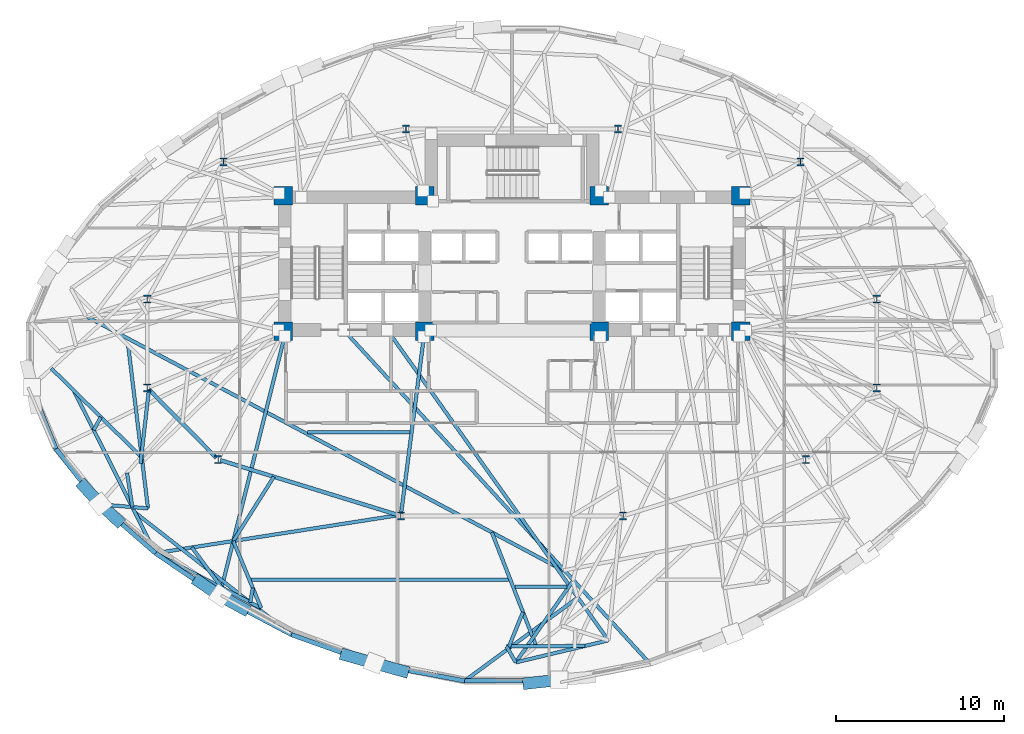
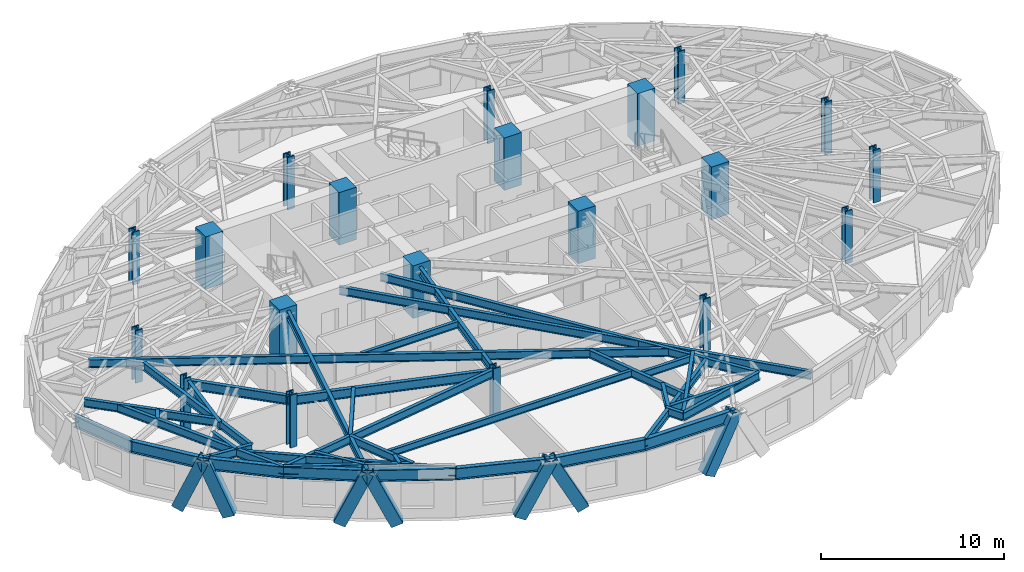
# One storey, part 1 of 14: 39 beams, 20 columns, 7 members.
"""IFC4 building model written with IfcOpenShell, lengths in metres."""

from ifc_helpers import new_model, si_unit, direction, frame, origin, origin_2d, place, context, subcontext, project, spatial, rectangle, hollow_rectangle, i_section, extrude, material, material_profile, profile_set, type_object, element, save


model = new_model("IFC4")

# Units and contexts
model_context = context("Model", 3, precision=1e-05, world=origin(), true_north=direction((0.0, 1.0)))
body_context = subcontext(model_context, "Body", "Model", "MODEL_VIEW")
ifc_project = project(units=[si_unit("LENGTHUNIT", "METRE"), si_unit("AREAUNIT", "SQUARE_METRE"), si_unit("VOLUMEUNIT", "CUBIC_METRE"), si_unit("PLANEANGLEUNIT", "RADIAN"), si_unit("MASSUNIT", "GRAM", prefix="KILO")], contexts=[model_context])

# Site, building, storey
site_placement = place(None, origin())
site = spatial("IfcSite", under=ifc_project, at=site_placement, CompositionType="ELEMENT")
building_placement = place(site_placement, origin())
building = spatial("IfcBuilding", under=site, at=building_placement, Name="Keldmark Tower", CompositionType="ELEMENT")
storey_placement = place(building_placement, frame((0.0, 0.0, 89.60009765625)))
storey = spatial("IfcBuildingStorey", under=building, at=storey_placement, Name="L23", CompositionType="ELEMENT", Elevation=89.60009765625)

# Columns
ifc_material_1 = material(Name="Concrete C70/85", Category="concrete")
ifc_material_profile_1 = material_profile(ifc_material_1, rectangle(XDim=1.10009765625, YDim=1.10009765625, at=origin_2d()), Name="RC1100X1100")
ifc_profile_set_1 = profile_set([ifc_material_profile_1], Name="Concrete C70/85")
column_type_1 = type_object("IfcColumnType", Name="Core Boundary Column RC1100", PredefinedType="COLUMN", material=ifc_profile_set_1)
for number, where, z_axis, x_axis, name in (
    (1, (-13.60009765625, 1.39990234375, 0.0), (0.0, 0.0, 1.0), (1.0, 0.0, 0.0), "L23 Core Boundary Column CC-W1"),
    (2, (-13.60009765625, 9.449951171875, 0.0), (0.0, 0.0, 1.0), (1.0, 0.0, 0.0), "L23 Core Boundary Column CC-W2"),
    (3, (-5.199951171875, 1.39990234375, 0.0), (0.0, 0.0, 1.0), (1.0, 0.0, 0.0), "L23 Core Boundary Column CC-W3"),
    (4, (-5.199951171875, 9.449951171875, 0.0), (0.0, 0.0, 1.0), (1.0, 0.0, 0.0), "L23 Core Boundary Column CC-W4"),
    (5, (5.199951171875, 1.39990234375, 0.0), (0.0, 0.0, 1.0), (1.0, 0.0, 0.0), "L23 Core Boundary Column CC-E1"),
    (6, (5.199951171875, 9.449951171875, 0.0), (0.0, 0.0, 1.0), (1.0, 0.0, 0.0), "L23 Core Boundary Column CC-E2"),
    (7, (13.60009765625, 1.39990234375, 0.0), (0.0, 0.0, 1.0), (1.0, 0.0, 0.0), "L23 Core Boundary Column CC-E3"),
    (8, (13.60009765625, 9.449951171875, 0.0), (0.0, 0.0, 1.0), (1.0, 0.0, 0.0), "L23 Core Boundary Column CC-E4"),
):
    element("IfcColumn", number, at=place(storey_placement, frame(where, z_axis=z_axis, x_axis=x_axis)), inside=storey, type_object=column_type_1, Name=name, PredefinedType="COLUMN", context=body_context, shape_type="SweptSolid", body=[
        extrude(rectangle(XDim=1.10009765625, YDim=1.10009765625, at=origin_2d()), origin(), (0.0, 0.0, 1.0), 3.5),
    ])
ifc_material_2 = material(Name="Steel ASTM A992 Grade 50", Category="steel")
ifc_material_profile_2 = material_profile(ifc_material_2, i_section(OverallWidth=0.424072265625, OverallDepth=0.47412109375, WebThickness=0.047607421875, FlangeThickness=0.0771484375, at=origin_2d()), Name="W14X426")
ifc_profile_set_2 = profile_set([ifc_material_profile_2], Name="Steel ASTM A992 Grade 50")
column_type_2 = type_object("IfcColumnType", Name="Tower Gravity Column W14X426", PredefinedType="COLUMN", material=ifc_profile_set_2)
for number, where, z_axis, x_axis, name in (
    (9, (21.697021484375, 3.309814453125, 0.0), (0.0, 0.0, 1.0), (1.0, 0.0, 0.0), "L23 Tower Gravity Column TC-E1"),
    (10, (17.1669921875, 11.478271484375, 0.0), (0.0, 0.0, 1.0), (1.0, 0.0, 0.0), "L23 Tower Gravity Column TC-E4"),
    (11, (6.298828125, 13.4326171875, 0.0), (0.0, 0.0, 1.0), (1.0, 0.0, 0.0), "L23 Tower Gravity Column TC-N2"),
    (12, (-6.298828125, 13.4326171875, 0.0), (0.0, 0.0, 1.0), (1.0, 0.0, 0.0), "L23 Tower Gravity Column TC-N1"),
    (13, (-17.1669921875, 11.478271484375, 0.0), (0.0, 0.0, 1.0), (1.0, 0.0, 0.0), "L23 Tower Gravity Column TC-W4"),
    (14, (-21.697021484375, 3.309814453125, 0.0), (0.0, 0.0, 1.0), (1.0, 0.0, 0.0), "L23 Tower Gravity Column TC-W1"),
    (15, (-21.697021484375, -1.9658203125, 0.0), (0.0, 0.0, 1.0), (1.0, 0.0, 0.0), "L23 Tower Gravity Column TC-W5"),
    (16, (-17.477294921875, -6.2294921875, 0.0), (0.0, 0.0, 1.0), (1.0, 0.0, 0.0), "L23 Tower Gravity Column TC-W2"),
    (17, (-6.61279296875, -9.579345703125, 0.0), (0.0, 0.0, 1.0), (1.0, 0.0, 0.0), "L23 Tower Gravity Column TC-W3"),
    (18, (6.61279296875, -9.579345703125, 0.0), (0.0, 0.0, 1.0), (1.0, 0.0, 0.0), "L23 Tower Gravity Column TC-E3"),
    (19, (17.477294921875, -6.2294921875, 0.0), (0.0, 0.0, 1.0), (1.0, 0.0, 0.0), "L23 Tower Gravity Column TC-E2"),
    (20, (21.697021484375, -1.9658203125, 0.0), (0.0, 0.0, 1.0), (1.0, 0.0, 0.0), "L23 Tower Gravity Column TC-E5"),
):
    element("IfcColumn", number, at=place(storey_placement, frame(where, z_axis=z_axis, x_axis=x_axis)), inside=storey, type_object=column_type_2, Name=name, PredefinedType="COLUMN", context=body_context, shape_type="SweptSolid", body=[
        extrude(i_section(OverallWidth=0.424072265625, OverallDepth=0.47412109375, WebThickness=0.047607421875, FlangeThickness=0.0771484375, at=origin_2d()), origin(), (0.0, 0.0, 1.0), 3.5),
    ])

# Beams
ifc_material_3 = material(Name="Steel ASTM A992 Grade 50", Category="steel")
ifc_material_profile_3 = material_profile(ifc_material_3, i_section(OverallWidth=0.19091796875, OverallDepth=0.45703125, WebThickness=0.009033203125, FlangeThickness=0.014404296875, at=origin_2d()), Name="W18X50")
ifc_profile_set_3 = profile_set([ifc_material_profile_3], Name="Steel ASTM A992 Grade 50")
beam_type_1 = type_object("IfcBeamType", Name="Composite Floor Joist W18X50", PredefinedType="JOIST", material=ifc_profile_set_3)
beam_1_placement = place(storey_placement, frame((-15.51611328125, -13.3798828125, 3.081298828125), z_axis=(1.0, 0.0, 0.0), x_axis=(0.0, 1.0, 0.0)))
element("IfcBeam", 21, at=beam_1_placement, inside=storey, type_object=beam_type_1, Name="L23 Composite Floor Joist J01", PredefinedType="JOIST", context=body_context, shape_type="SweptSolid", body=[
    extrude(i_section(OverallWidth=0.19091796875, OverallDepth=0.45703125, WebThickness=0.009033203125, FlangeThickness=0.014404296875, at=origin_2d()), origin(), (0.0, 0.0, 1.0), 15.31591796875),
])
beam_2_placement = place(storey_placement, frame((0.17041015625, -13.800048828125, 3.081298828125), z_axis=(1.0, 0.0, 0.0), x_axis=(0.0, 1.0, 0.0)))
element("IfcBeam", 22, at=beam_2_placement, inside=storey, type_object=beam_type_1, Name="L23 Composite Floor Joist J02", PredefinedType="JOIST", context=body_context, shape_type="SweptSolid", body=[
    extrude(i_section(OverallWidth=0.19091796875, OverallDepth=0.45703125, WebThickness=0.009033203125, FlangeThickness=0.014404296875, at=origin_2d()), origin(), (0.0, 0.0, 1.0), 3.093994140625),
])
beam_3_placement = place(storey_placement, frame((-12.17626953125, -4.60009765625, 3.081298828125), z_axis=(1.0, 0.0, 0.0), x_axis=(0.0, 1.0, 0.0)))
element("IfcBeam", 23, at=beam_3_placement, inside=storey, type_object=beam_type_1, Name="L23 Composite Floor Joist J04", PredefinedType="JOIST", context=body_context, shape_type="SweptSolid", body=[
    extrude(i_section(OverallWidth=0.19091796875, OverallDepth=0.45703125, WebThickness=0.009033203125, FlangeThickness=0.014404296875, at=origin_2d()), origin(), (0.0, 0.0, 1.0), 6.10546875),
])

# Members
ifc_material_4 = material(Name="Steel ASTM A572 Grade 50", Category="steel")
ifc_material_profile_4 = material_profile(ifc_material_4, hollow_rectangle(XDim=0.699951171875, YDim=0.699951171875, WallThickness=0.054931640625, at=origin_2d()), Name="BOX700X700X55")
ifc_profile_set_4 = profile_set([ifc_material_profile_4], Name="Steel ASTM A572 Grade 50")
member_type = type_object("IfcMemberType", Name="Diagrid Zone 1 Brace BOX700X700X55", PredefinedType="BRACE", material=ifc_profile_set_4)
member_1_placement = place(storey_placement, frame((-25.4755859375, -7.80615234375, -0.27001953125), z_axis=(0.262085609005, -0.285373434278, 0.921885641802), x_axis=(0.736519646714, 0.676416151496, 0.0)))
element("IfcMember", 24, at=member_1_placement, inside=storey, type_object=member_type, Name="L23 Perimeter Diagrid Brace 09B", PredefinedType="BRACE", context=body_context, shape_type="SweptSolid", body=[
    extrude(hollow_rectangle(XDim=0.699951171875, YDim=0.699951171875, WallThickness=0.054931640625, at=origin_2d()), origin(), (0.0, 0.0, 1.0), 3.753173828125),
])
member_2_placement = place(storey_placement, frame((-23.441650390625, -9.855712890625, -0.27001953125), z_axis=(-0.281311688688, 0.263798880483, 0.922645047927), x_axis=(-0.684036585728, -0.729447701611, 0.0)))
element("IfcMember", 25, at=member_2_placement, inside=storey, type_object=member_type, Name="L23 Perimeter Diagrid Brace 10A", PredefinedType="BRACE", context=body_context, shape_type="SweptSolid", body=[
    extrude(hollow_rectangle(XDim=0.699951171875, YDim=0.699951171875, WallThickness=0.054931640625, at=origin_2d()), origin(), (0.0, 0.0, 1.0), 3.75),
])
member_3_placement = place(storey_placement, frame((-18.631103515625, -13.481689453125, -0.27001953125), z_axis=(0.336340617782, -0.22609778775, 0.914196247643), x_axis=(0.557891754067, 0.82991372488, 0.0)))
element("IfcMember", 26, at=member_3_placement, inside=storey, type_object=member_type, Name="L23 Perimeter Diagrid Brace 10B", PredefinedType="BRACE", context=body_context, shape_type="SweptSolid", body=[
    extrude(hollow_rectangle(XDim=0.699951171875, YDim=0.699951171875, WallThickness=0.054931640625, at=origin_2d()), origin(), (0.0, 0.0, 1.0), 3.78466796875),
])
member_4_placement = place(storey_placement, frame((-15.95751953125, -15.10595703125, -0.27001953125), z_axis=(-0.369242285857, 0.203591917102, 0.906758217843), x_axis=(-0.482844663231, -0.875706018701, 0.0)))
element("IfcMember", 27, at=member_4_placement, inside=storey, type_object=member_type, Name="L23 Perimeter Diagrid Brace 11A", PredefinedType="BRACE", context=body_context, shape_type="SweptSolid", body=[
    extrude(hollow_rectangle(XDim=0.699951171875, YDim=0.699951171875, WallThickness=0.054931640625, at=origin_2d()), origin(), (0.0, 0.0, 1.0), 3.815673828125),
])
member_5_placement = place(storey_placement, frame((-9.8876953125, -17.863037109375, -0.27001953125), z_axis=(0.434997536454, -0.121811900584, 0.892154136994), x_axis=(0.269655770561, 0.962956782729, 0.0)))
element("IfcMember", 28, at=member_5_placement, inside=storey, type_object=member_type, Name="L23 Perimeter Diagrid Brace 11B", PredefinedType="BRACE", context=body_context, shape_type="SweptSolid", body=[
    extrude(hollow_rectangle(XDim=0.699951171875, YDim=0.699951171875, WallThickness=0.054931640625, at=origin_2d()), origin(), (0.0, 0.0, 1.0), 3.878173828125),
])
member_6_placement = place(storey_placement, frame((-6.45849609375, -18.824462890625, -0.27001953125), z_axis=(-0.448377656674, 0.126190118944, 0.884891818742), x_axis=(-0.270912496886, -0.962603978296, 0.0)))
element("IfcMember", 29, at=member_6_placement, inside=storey, type_object=member_type, Name="L23 Perimeter Diagrid Brace 12A", PredefinedType="BRACE", context=body_context, shape_type="SweptSolid", body=[
    extrude(hollow_rectangle(XDim=0.699951171875, YDim=0.699951171875, WallThickness=0.054931640625, at=origin_2d()), origin(), (0.0, 0.0, 1.0), 3.91015625),
])
member_7_placement = place(storey_placement, frame((0.955078125, -19.5361328125, -0.27001953125), z_axis=(0.474577602161, 0.051277198457, 0.878718810795), x_axis=(-0.107422850938, 0.994213423313, 0.0)))
element("IfcMember", 30, at=member_7_placement, inside=storey, type_object=member_type, Name="L23 Perimeter Diagrid Brace 12B", PredefinedType="BRACE", context=body_context, shape_type="SweptSolid", body=[
    extrude(hollow_rectangle(XDim=0.699951171875, YDim=0.699951171875, WallThickness=0.054931640625, at=origin_2d()), origin(), (0.0, 0.0, 1.0), 3.9375),
])

# Beams
ifc_material_5 = material(Name="Steel ASTM A992 Grade 50", Category="steel")
ifc_material_profile_5 = material_profile(ifc_material_5, i_section(OverallWidth=0.22900390625, OverallDepth=0.612060546875, WebThickness=0.011962890625, FlangeThickness=0.01953125, at=origin_2d()), Name="W24X84")
ifc_profile_set_5 = profile_set([ifc_material_profile_5], Name="Steel ASTM A992 Grade 50")
beam_type_2 = type_object("IfcBeamType", Name="Primary Floor Girder W24X84", PredefinedType="BEAM", material=ifc_profile_set_5)
beam_4_placement = place(storey_placement, frame((-21.598388671875, -2.0654296875, 3.00390625), z_axis=(0.703425791323, -0.71076870788, 0.0), x_axis=(0.71076870788, 0.703425791323, 0.0)))
element("IfcBeam", 31, at=beam_4_placement, inside=storey, type_object=beam_type_2, Name="L23 Floor Ring Girder FG-R07", PredefinedType="BEAM", context=body_context, shape_type="SweptSolid", body=[
    extrude(i_section(OverallWidth=0.22900390625, OverallDepth=0.612060546875, WebThickness=0.011962890625, FlangeThickness=0.01953125, at=origin_2d()), origin(), (0.0, 0.0, 1.0), 5.71875),
])
beam_5_placement = place(storey_placement, frame((-17.343505859375, -6.270751953125, 3.00390625), z_axis=(0.955607954968, -0.294641199432, 0.0), x_axis=(0.294641199432, 0.955607954968, 0.0)))
element("IfcBeam", 32, at=beam_5_placement, inside=storey, type_object=beam_type_2, Name="L23 Floor Ring Girder FG-R08", PredefinedType="BEAM", context=body_context, shape_type="SweptSolid", body=[
    extrude(i_section(OverallWidth=0.22900390625, OverallDepth=0.612060546875, WebThickness=0.011962890625, FlangeThickness=0.01953125, at=origin_2d()), origin(), (0.0, 0.0, 1.0), 11.089111328125),
])
ifc_material_6 = material(Name="Steel ASTM A992 Grade 50", Category="steel")
ifc_material_profile_6 = material_profile(ifc_material_6, i_section(OverallWidth=0.2099609375, OverallDepth=0.537109375, WebThickness=0.010986328125, FlangeThickness=0.017333984375, at=origin_2d()), Name="W21X68")
ifc_profile_set_6 = profile_set([ifc_material_profile_6], Name="Steel ASTM A992 Grade 50")
beam_type_3 = type_object("IfcBeamType", Name="Radial Tie Girder W21X68", PredefinedType="BEAM", material=ifc_profile_set_6)
beam_6_placement = place(storey_placement, frame((-25.341064453125, 2.30029296875, 3.04150390625), z_axis=(0.882607113609, -0.47011135171, 0.0), x_axis=(0.47011135171, 0.882607113609, 0.0)))
element("IfcBeam", 33, at=beam_6_placement, inside=storey, type_object=beam_type_3, Name="L23 Perimeter Collector Ring Beam CRG2-M07", PredefinedType="BEAM", context=body_context, shape_type="SweptSolid", body=[
    extrude(i_section(OverallWidth=0.2099609375, OverallDepth=0.537109375, WebThickness=0.010986328125, FlangeThickness=0.017333984375, at=origin_2d()), origin(), (0.0, 0.0, 1.0), 32.18310546875),
])
beam_7_placement = place(storey_placement, frame((-21.598388671875, -2.0654296875, 3.04150390625), z_axis=(-0.112481828553, -0.99365378188, 0.0), x_axis=(0.99365378188, -0.112481828553, 0.0)))
element("IfcBeam", 34, at=beam_7_placement, inside=storey, type_object=beam_type_3, Name="L23 Local Collector Chord RT-19C", PredefinedType="BEAM", context=body_context, shape_type="SweptSolid", body=[
    extrude(i_section(OverallWidth=0.2099609375, OverallDepth=0.537109375, WebThickness=0.010986328125, FlangeThickness=0.017333984375, at=origin_2d()), origin(), (0.0, 0.0, 1.0), 4.429931640625),
])
beam_8_placement = place(storey_placement, frame((-27.39892578125, -0.8115234375, 3.04150390625), z_axis=(0.712974313069, -0.701190151745, 0.0), x_axis=(0.701190151745, 0.712974313069, 0.0)))
element("IfcBeam", 35, at=beam_8_placement, inside=storey, type_object=beam_type_3, Name="L23 Framing Pin Header PH-025", PredefinedType="BEAM", context=body_context, shape_type="SweptSolid", body=[
    extrude(i_section(OverallWidth=0.2099609375, OverallDepth=0.537109375, WebThickness=0.010986328125, FlangeThickness=0.017333984375, at=origin_2d()), origin(), (0.0, 0.0, 1.0), 7.499755859375),
])
beam_9_placement = place(storey_placement, frame((-22.831298828125, 0.552001953125, 3.04150390625), z_axis=(0.120867936864, -0.992668596178, 0.0), x_axis=(0.992668596178, 0.120867936864, 0.0)))
element("IfcBeam", 36, at=beam_9_placement, inside=storey, type_object=beam_type_3, Name="L23 Intermediate Radial Step Girder RT-20M", PredefinedType="BEAM", context=body_context, shape_type="SweptSolid", body=[
    extrude(i_section(OverallWidth=0.2099609375, OverallDepth=0.537109375, WebThickness=0.010986328125, FlangeThickness=0.017333984375, at=origin_2d()), origin(), (0.0, 0.0, 1.0), 9.756103515625),
])
beam_10_placement = place(storey_placement, frame((-24.54931640625, -8.894775390625, 3.04150390625), z_axis=(0.996648659522, -0.081801280389, 0.0), x_axis=(0.081801280389, 0.996648659522, 0.0)))
element("IfcBeam", 37, at=beam_10_placement, inside=storey, type_object=beam_type_3, Name="L23 Local Collector Chord RT-20C", PredefinedType="BEAM", context=body_context, shape_type="SweptSolid", body=[
    extrude(i_section(OverallWidth=0.2099609375, OverallDepth=0.537109375, WebThickness=0.010986328125, FlangeThickness=0.017333984375, at=origin_2d()), origin(), (0.0, 0.0, 1.0), 2.906982421875),
])
beam_11_placement = place(storey_placement, frame((-22.895751953125, -7.02490234375, 3.04150390625), z_axis=(0.151825075727, -0.988407378757, 0.0), x_axis=(0.988407378757, 0.151825075727, 0.0)))
element("IfcBeam", 38, at=beam_11_placement, inside=storey, type_object=beam_type_3, Name="L23 Framing Pin Header PH-026", PredefinedType="BEAM", context=body_context, shape_type="SweptSolid", body=[
    extrude(i_section(OverallWidth=0.2099609375, OverallDepth=0.537109375, WebThickness=0.010986328125, FlangeThickness=0.017333984375, at=origin_2d()), origin(), (0.0, 0.0, 1.0), 2.05517578125),
])
beam_12_placement = place(storey_placement, frame((-26.062255859375, -2.126220703125, 3.04150390625), z_axis=(0.448620833351, -0.893722187194, 0.0), x_axis=(0.893722187194, 0.448620833351, 0.0)))
element("IfcBeam", 39, at=beam_12_placement, inside=storey, type_object=beam_type_3, Name="L23 Perimeter Radial Tie Girder RT-20", PredefinedType="BEAM", context=body_context, shape_type="SweptSolid", body=[
    extrude(i_section(OverallWidth=0.2099609375, OverallDepth=0.537109375, WebThickness=0.010986328125, FlangeThickness=0.017333984375, at=origin_2d()), origin(), (0.0, 0.0, 1.0), 10.821533203125),
])
beam_13_placement = place(storey_placement, frame((-7.41796875, 1.47509765625, 3.04150390625), z_axis=(0.580227011012, -0.814454796593, 0.0), x_axis=(0.814454796593, 0.580227011012, 0.0)))
element("IfcBeam", 40, at=beam_13_placement, inside=storey, type_object=beam_type_3, Name="L23 Intermediate Radial Step Girder RT-26M", PredefinedType="BEAM", context=body_context, shape_type="SweptSolid", body=[
    extrude(i_section(OverallWidth=0.2099609375, OverallDepth=0.537109375, WebThickness=0.010986328125, FlangeThickness=0.017333984375, at=origin_2d()), origin(), (0.0, 0.0, 1.0), 22.666259765625),
])
beam_14_placement = place(storey_placement, frame((-24.4580078125, -3.703857421875, 3.04150390625), z_axis=(-0.48199318385, -0.876174965815, 0.0), x_axis=(0.876174965815, -0.48199318385, 0.0)))
element("IfcBeam", 41, at=beam_14_placement, inside=storey, type_object=beam_type_3, Name="L23 Framing Pin Header PH-042", PredefinedType="BEAM", context=body_context, shape_type="SweptSolid", body=[
    extrude(i_section(OverallWidth=0.2099609375, OverallDepth=0.537109375, WebThickness=0.010986328125, FlangeThickness=0.017333984375, at=origin_2d()), origin(), (0.0, 0.0, 1.0), 0.88134765625),
])
beam_15_placement = place(storey_placement, frame((-21.20751953125, -11.797607421875, 3.04150390625), z_axis=(0.988012033751, 0.154376880274, 0.0), x_axis=(-0.154376880274, 0.988012033751, 0.0)))
element("IfcBeam", 42, at=beam_15_placement, inside=storey, type_object=beam_type_3, Name="L23 Straddling Support Chord RT-21RB", PredefinedType="BEAM", context=body_context, shape_type="SweptSolid", body=[
    extrude(i_section(OverallWidth=0.2099609375, OverallDepth=0.537109375, WebThickness=0.010986328125, FlangeThickness=0.017333984375, at=origin_2d()), origin(), (0.0, 0.0, 1.0), 14.636474609375),
])
beam_16_placement = place(storey_placement, frame((-14.164306640625, -7.2509765625, 3.04150390625), z_axis=(-0.53366379617, -0.845696726171, 0.0), x_axis=(0.845696726171, -0.53366379617, 0.0)))
element("IfcBeam", 43, at=beam_16_placement, inside=storey, type_object=beam_type_3, Name="L23 Framing Pin Header PH-043", PredefinedType="BEAM", context=body_context, shape_type="SweptSolid", body=[
    extrude(i_section(OverallWidth=0.2099609375, OverallDepth=0.537109375, WebThickness=0.010986328125, FlangeThickness=0.017333984375, at=origin_2d()), origin(), (0.0, 0.0, 1.0), 4.520751953125),
])
beam_17_placement = place(storey_placement, frame((-13.52490234375, 1.10009765625, 3.04150390625), z_axis=(-0.243169269638, -0.969983869095, 0.0), x_axis=(0.969983869095, -0.243169269638, 0.0)))
element("IfcBeam", 44, at=beam_17_placement, inside=storey, type_object=beam_type_3, Name="L23 Perimeter Radial Tie Girder RT-21R", PredefinedType="BEAM", context=body_context, shape_type="SweptSolid", body=[
    extrude(i_section(OverallWidth=0.2099609375, OverallDepth=0.537109375, WebThickness=0.010986328125, FlangeThickness=0.017333984375, at=origin_2d()), origin(), (0.0, 0.0, 1.0), 15.95458984375),
])
beam_18_placement = place(storey_placement, frame((-19.03857421875, -11.458740234375, 3.04150390625), z_axis=(0.595200017994, -0.803577587156, 0.0), x_axis=(0.803577587156, 0.595200017994, 0.0)))
element("IfcBeam", 45, at=beam_18_placement, inside=storey, type_object=beam_type_3, Name="L23 Framing Pin Header PH-044", PredefinedType="BEAM", context=body_context, shape_type="SweptSolid", body=[
    extrude(i_section(OverallWidth=0.2099609375, OverallDepth=0.537109375, WebThickness=0.010986328125, FlangeThickness=0.017333984375, at=origin_2d()), origin(), (0.0, 0.0, 1.0), 2.968994140625),
])
beam_19_placement = place(storey_placement, frame((-21.20751953125, -11.797607421875, 3.04150390625), z_axis=(0.88720326311, -0.461378770564, 0.0), x_axis=(0.461378770564, 0.88720326311, 0.0)))
element("IfcBeam", 46, at=beam_19_placement, inside=storey, type_object=beam_type_3, Name="L23 Crown Step Radial Girder RT-22RN1", PredefinedType="BEAM", context=body_context, shape_type="SweptSolid", body=[
    extrude(i_section(OverallWidth=0.2099609375, OverallDepth=0.537109375, WebThickness=0.010986328125, FlangeThickness=0.017333984375, at=origin_2d()), origin(), (0.0, 0.0, 1.0), 7.08642578125),
])
beam_20_placement = place(storey_placement, frame((-14.92041015625, -15.067138671875, 3.04150390625), z_axis=(-0.383191324815, 0.923668992977, 0.0), x_axis=(-0.923668992977, -0.383191324815, 0.0)))
element("IfcBeam", 47, at=beam_20_placement, inside=storey, type_object=beam_type_3, Name="L23 Crown Step Collector Chord RT-22RP1", PredefinedType="BEAM", context=body_context, shape_type="SweptSolid", body=[
    extrude(i_section(OverallWidth=0.2099609375, OverallDepth=0.537109375, WebThickness=0.010986328125, FlangeThickness=0.017333984375, at=origin_2d()), origin(), (0.0, 0.0, 1.0), 4.322998046875),
])
beam_21_placement = place(storey_placement, frame((-15.41748046875, -13.869384765625, 3.04150390625), z_axis=(-0.174136120113, -0.984721590944, 0.0), x_axis=(0.984721590944, -0.174136120113, 0.0)))
element("IfcBeam", 48, at=beam_21_placement, inside=storey, type_object=beam_type_3, Name="L23 Framing Pin Header PH-045", PredefinedType="BEAM", context=body_context, shape_type="SweptSolid", body=[
    extrude(i_section(OverallWidth=0.2099609375, OverallDepth=0.537109375, WebThickness=0.010986328125, FlangeThickness=0.017333984375, at=origin_2d()), origin(), (0.0, 0.0, 1.0), 0.87353515625),
])
beam_22_placement = place(storey_placement, frame((-22.42138671875, -9.3798828125, 3.04150390625), z_axis=(0.788210999727, -0.615405086028, 0.0), x_axis=(0.615405086028, 0.788210999727, 0.0)))
element("IfcBeam", 49, at=beam_22_placement, inside=storey, type_object=beam_type_3, Name="L23 Perimeter Radial Tie Girder RT-22R", PredefinedType="BEAM", context=body_context, shape_type="SweptSolid", body=[
    extrude(i_section(OverallWidth=0.2099609375, OverallDepth=0.537109375, WebThickness=0.010986328125, FlangeThickness=0.017333984375, at=origin_2d()), origin(), (0.0, 0.0, 1.0), 11.79833984375),
])
beam_23_placement = place(storey_placement, frame((0.21875, -18.296142578125, 3.04150390625), z_axis=(0.97290640433, 0.231199326152, 0.0), x_axis=(-0.231199326152, 0.97290640433, 0.0)))
element("IfcBeam", 50, at=beam_23_placement, inside=storey, type_object=beam_type_3, Name="L23 Crown Step Collector Chord RT-24RP1", PredefinedType="BEAM", context=body_context, shape_type="SweptSolid", body=[
    extrude(i_section(OverallWidth=0.2099609375, OverallDepth=0.537109375, WebThickness=0.010986328125, FlangeThickness=0.017333984375, at=origin_2d()), origin(), (0.0, 0.0, 1.0), 5.66845703125),
])
beam_24_placement = place(storey_placement, frame((-1.19677734375, -10.559814453125, 3.04150390625), z_axis=(0.363360439408, -0.931648641427, 0.0), x_axis=(0.931648641427, 0.363360439408, 0.0)))
element("IfcBeam", 51, at=beam_24_placement, inside=storey, type_object=beam_type_3, Name="L23 Framing Pin Header PH-046", PredefinedType="BEAM", context=body_context, shape_type="SweptSolid", body=[
    extrude(i_section(OverallWidth=0.2099609375, OverallDepth=0.537109375, WebThickness=0.010986328125, FlangeThickness=0.017333984375, at=origin_2d()), origin(), (0.0, 0.0, 1.0), 7.267333984375),
])
beam_25_placement = place(storey_placement, frame((4.35498046875, -17.313232421875, 3.04150390625), z_axis=(-0.999982938595, -0.005841448345, 0.0), x_axis=(0.005841448345, -0.999982938595, 0.0)))
element("IfcBeam", 52, at=beam_25_placement, inside=storey, type_object=beam_type_3, Name="L23 Crown Step Radial Girder RT-24RN2", PredefinedType="BEAM", context=body_context, shape_type="SweptSolid", body=[
    extrude(i_section(OverallWidth=0.2099609375, OverallDepth=0.537109375, WebThickness=0.010986328125, FlangeThickness=0.017333984375, at=origin_2d()), origin(), (0.0, 0.0, 1.0), 4.680908203125),
])
beam_26_placement = place(storey_placement, frame((-0.325927734375, -17.340576171875, 3.04150390625), z_axis=(0.495206394691, -0.868775360296, 0.0), x_axis=(0.868775360296, 0.495206394691, 0.0)))
element("IfcBeam", 53, at=beam_26_placement, inside=storey, type_object=beam_type_3, Name="L23 Crown Step Collector Chord RT-24RP2", PredefinedType="BEAM", context=body_context, shape_type="SweptSolid", body=[
    extrude(i_section(OverallWidth=0.2099609375, OverallDepth=0.537109375, WebThickness=0.010986328125, FlangeThickness=0.017333984375, at=origin_2d()), origin(), (0.0, 0.0, 1.0), 1.099853515625),
])
beam_27_placement = place(storey_placement, frame((0.651611328125, -15.29931640625, 3.04150390625), z_axis=(-0.375669223474, -0.926753815495, 0.0), x_axis=(0.926753815495, -0.375669223474, 0.0)))
element("IfcBeam", 54, at=beam_27_placement, inside=storey, type_object=beam_type_3, Name="L23 Framing Pin Header PH-047", PredefinedType="BEAM", context=body_context, shape_type="SweptSolid", body=[
    extrude(i_section(OverallWidth=0.2099609375, OverallDepth=0.537109375, WebThickness=0.010986328125, FlangeThickness=0.017333984375, at=origin_2d()), origin(), (0.0, 0.0, 1.0), 2.368896484375),
])
beam_28_placement = place(storey_placement, frame((3.85888671875, -14.478515625, 3.04150390625), z_axis=(-0.805311109353, -0.592852441298, 0.0), x_axis=(0.592852441298, -0.805311109353, 0.0)))
element("IfcBeam", 55, at=beam_28_placement, inside=storey, type_object=beam_type_3, Name="L23 Perimeter Radial Tie Girder RT-24R", PredefinedType="BEAM", context=body_context, shape_type="SweptSolid", body=[
    extrude(i_section(OverallWidth=0.2099609375, OverallDepth=0.537109375, WebThickness=0.010986328125, FlangeThickness=0.017333984375, at=origin_2d()), origin(), (0.0, 0.0, 1.0), 8.291015625),
])
beam_29_placement = place(storey_placement, frame((0.21875, -18.296142578125, 3.04150390625), z_axis=(0.575513916531, 0.817791985702, 0.0), x_axis=(-0.817791985702, 0.575513916531, 0.0)))
element("IfcBeam", 56, at=beam_29_placement, inside=storey, type_object=beam_type_3, Name="L23 Straddling Support Chord RT-25RB", PredefinedType="BEAM", context=body_context, shape_type="SweptSolid", body=[
    extrude(i_section(OverallWidth=0.2099609375, OverallDepth=0.537109375, WebThickness=0.010986328125, FlangeThickness=0.017333984375, at=origin_2d()), origin(), (0.0, 0.0, 1.0), 5.89697265625),
])
beam_30_placement = place(storey_placement, frame((-10.0107421875, 1.47509765625, 3.04150390625), z_axis=(0.676359395129, -0.736571767462, 0.0), x_axis=(0.736571767462, 0.676359395129, 0.0)))
element("IfcBeam", 57, at=beam_30_placement, inside=storey, type_object=beam_type_3, Name="L23 Perimeter Radial Tie Girder RT-26R", PredefinedType="BEAM", context=body_context, shape_type="SweptSolid", body=[
    extrude(i_section(OverallWidth=0.2099609375, OverallDepth=0.537109375, WebThickness=0.010986328125, FlangeThickness=0.017333984375, at=origin_2d()), origin(), (0.0, 0.0, 1.0), 26.967529296875),
])
ifc_material_7 = material(Name="Steel ASTM A992 Grade 50", Category="steel")
ifc_material_profile_7 = material_profile(ifc_material_7, i_section(OverallWidth=0.214111328125, OverallDepth=0.549072265625, WebThickness=0.0146484375, FlangeThickness=0.023681640625, at=origin_2d()), Name="W21X93")
ifc_profile_set_7 = profile_set([ifc_material_profile_7], Name="Steel ASTM A992 Grade 50")
beam_type_4 = type_object("IfcBeamType", Name="Radial Tie Girder W21X93", PredefinedType="BEAM", material=ifc_profile_set_7)
beam_31_placement = place(storey_placement, frame((-6.594970703125, -9.4404296875, 3.035400390625), z_axis=(0.127642040045, 0.991820301069, 0.0), x_axis=(-0.991820301069, 0.127642040045, 0.0)))
element("IfcBeam", 58, at=beam_31_placement, inside=storey, type_object=beam_type_4, Name="L23 Floor Radial Girder FG-C09", PredefinedType="BEAM", context=body_context, shape_type="SweptSolid", body=[
    extrude(i_section(OverallWidth=0.214111328125, OverallDepth=0.549072265625, WebThickness=0.0146484375, FlangeThickness=0.023681640625, at=origin_2d()), origin(), (0.0, 0.0, 1.0), 10.609619140625),
])
ifc_material_8 = material(Name="Steel ASTM A992 Grade 50", Category="steel")
ifc_material_profile_8 = material_profile(ifc_material_8, i_section(OverallWidth=0.26806640625, OverallDepth=0.77001953125, WebThickness=0.015625, FlangeThickness=0.025390625, at=origin_2d()), Name="W30X132")
ifc_profile_set_8 = profile_set([ifc_material_profile_8], Name="Steel ASTM A992 Grade 50")
beam_type_5 = type_object("IfcBeamType", Name="Spandrel Ring Beam W30X132", PredefinedType="SPANDREL", material=ifc_profile_set_8)
beam_32_placement = place(storey_placement, frame((-28.611083984375, -1.91015625, 2.9248046875), z_axis=(0.374920072969, -0.927057138954, 0.0), x_axis=(0.927057138954, 0.374920072969, 0.0)))
element("IfcBeam", 59, at=beam_32_placement, inside=storey, type_object=beam_type_5, Name="L23 Perimeter Spandrel Ring Beam SRB-17", PredefinedType="SPANDREL", context=body_context, shape_type="SweptSolid", body=[
    extrude(i_section(OverallWidth=0.26806640625, OverallDepth=0.77001953125, WebThickness=0.015625, FlangeThickness=0.025390625, at=origin_2d()), origin(), (0.0, 0.0, 1.0), 3.95654296875),
])
beam_33_placement = place(storey_placement, frame((-27.127685546875, -5.578125, 2.9248046875), z_axis=(0.61375552181, -0.789496142769, 0.0), x_axis=(0.789496142769, 0.61375552181, 0.0)))
element("IfcBeam", 60, at=beam_33_placement, inside=storey, type_object=beam_type_5, Name="L23 Perimeter Spandrel Ring Beam SRB-18", PredefinedType="SPANDREL", context=body_context, shape_type="SweptSolid", body=[
    extrude(i_section(OverallWidth=0.26806640625, OverallDepth=0.77001953125, WebThickness=0.015625, FlangeThickness=0.025390625, at=origin_2d()), origin(), (0.0, 0.0, 1.0), 4.200927734375),
])
beam_34_placement = place(storey_placement, frame((-24.54931640625, -8.894775390625, 2.9248046875), z_axis=(0.754949760528, -0.655782630967, 0.0), x_axis=(0.655782630967, 0.754949760528, 0.0)))
element("IfcBeam", 61, at=beam_34_placement, inside=storey, type_object=beam_type_5, Name="L23 Perimeter Spandrel Ring Beam SRB-19", PredefinedType="SPANDREL", context=body_context, shape_type="SweptSolid", body=[
    extrude(i_section(OverallWidth=0.26806640625, OverallDepth=0.77001953125, WebThickness=0.015625, FlangeThickness=0.025390625, at=origin_2d()), origin(), (0.0, 0.0, 1.0), 4.426513671875),
])
beam_35_placement = place(storey_placement, frame((-21.20751953125, -11.797607421875, 2.9248046875), z_axis=(0.827749911298, -0.561097214701, 0.0), x_axis=(0.561097214701, 0.827749911298, 0.0)))
element("IfcBeam", 62, at=beam_35_placement, inside=storey, type_object=beam_type_5, Name="L23 Perimeter Spandrel Ring Beam SRB-20", PredefinedType="SPANDREL", context=body_context, shape_type="SweptSolid", body=[
    extrude(i_section(OverallWidth=0.26806640625, OverallDepth=0.77001953125, WebThickness=0.015625, FlangeThickness=0.025390625, at=origin_2d()), origin(), (0.0, 0.0, 1.0), 4.59423828125),
])
beam_36_placement = place(storey_placement, frame((-17.404541015625, -14.37548828125, 2.9248046875), z_axis=(0.883974159998, -0.467535757409, 0.0), x_axis=(0.467535757409, 0.883974159998, 0.0)))
element("IfcBeam", 63, at=beam_36_placement, inside=storey, type_object=beam_type_5, Name="L23 Perimeter Spandrel Ring Beam SRB-21", PredefinedType="SPANDREL", context=body_context, shape_type="SweptSolid", body=[
    extrude(i_section(OverallWidth=0.26806640625, OverallDepth=0.77001953125, WebThickness=0.015625, FlangeThickness=0.025390625, at=origin_2d()), origin(), (0.0, 0.0, 1.0), 4.8447265625),
])
beam_37_placement = place(storey_placement, frame((-13.121826171875, -16.640625, 2.9248046875), z_axis=(0.941719584121, -0.336398907376, 0.0), x_axis=(0.336398907376, 0.941719584121, 0.0)))
element("IfcBeam", 64, at=beam_37_placement, inside=storey, type_object=beam_type_5, Name="L23 Perimeter Spandrel Ring Beam SRB-22", PredefinedType="SPANDREL", context=body_context, shape_type="SweptSolid", body=[
    extrude(i_section(OverallWidth=0.26806640625, OverallDepth=0.77001953125, WebThickness=0.015625, FlangeThickness=0.025390625, at=origin_2d()), origin(), (0.0, 0.0, 1.0), 5.195556640625),
])
beam_38_placement = place(storey_placement, frame((-8.22900390625, -18.388427734375, 2.9248046875), z_axis=(0.983174171207, -0.182670602645, 0.0), x_axis=(0.182670602645, 0.983174171207, 0.0)))
element("IfcBeam", 65, at=beam_38_placement, inside=storey, type_object=beam_type_5, Name="L23 Perimeter Spandrel Ring Beam SRB-23", PredefinedType="SPANDREL", context=body_context, shape_type="SweptSolid", body=[
    extrude(i_section(OverallWidth=0.26806640625, OverallDepth=0.77001953125, WebThickness=0.015625, FlangeThickness=0.025390625, at=origin_2d()), origin(), (0.0, 0.0, 1.0), 5.503662109375),
])
beam_39_placement = place(storey_placement, frame((-2.81787109375, -19.393798828125, 2.9248046875), z_axis=(1.0, 0.0, 0.0), x_axis=(0.0, 1.0, 0.0)))
element("IfcBeam", 66, at=beam_39_placement, inside=storey, type_object=beam_type_5, Name="L23 Perimeter Spandrel Ring Beam SRB-24", PredefinedType="SPANDREL", context=body_context, shape_type="SweptSolid", body=[
    extrude(i_section(OverallWidth=0.26806640625, OverallDepth=0.77001953125, WebThickness=0.015625, FlangeThickness=0.025390625, at=origin_2d()), origin(), (0.0, 0.0, 1.0), 5.6357421875),
])

save(model, "model.ifc")
